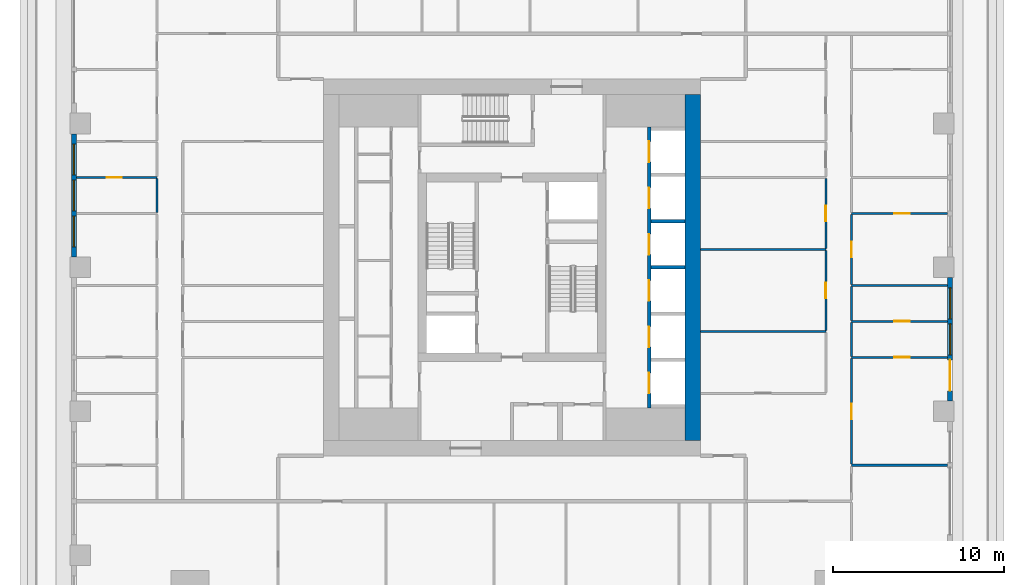
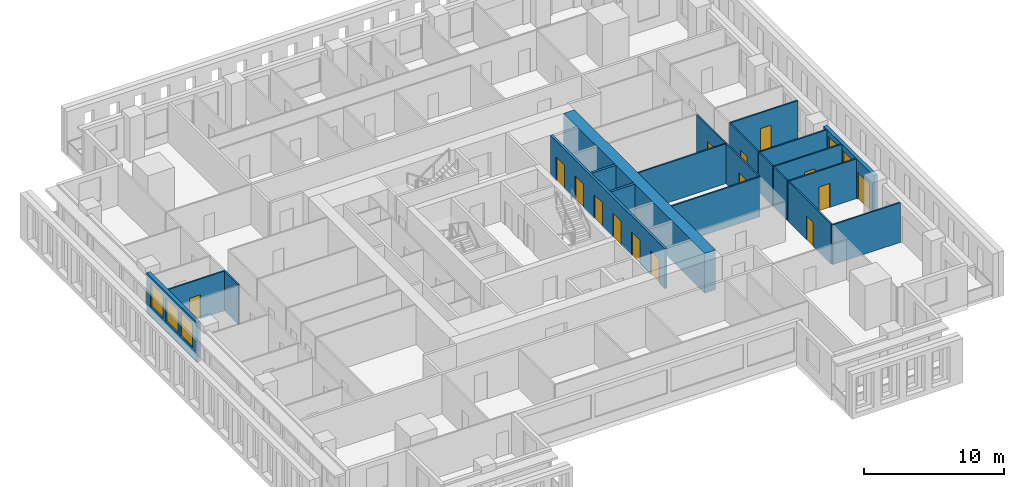
# One storey, part 5 of 14: 21 walls, 15 doors, 5 windows, 20 openings.
"""IFC4 building model written with IfcOpenShell, lengths in metres."""

import ifcopenshell
import ifcopenshell.guid

model = None  # the IFC model being written
_history = None  # IfcOwnerHistory: only IFC2X3 demands one
_inside = {}  # id of a spatial element -> (the spatial element, [elements in it])
_under = {}  # id of a project, library or spatial element -> (it, [spatial elements below it])
_declared = {}  # id of a project -> (the project, [libraries it declares])
_typed = {}  # id of a type object -> (the type object, [elements of that type])
_made_of = {}  # id of a material, layer set ... -> (it, [elements and type objects made of it])


def new_model(schema):
    """Start an empty IFC model of exactly this schema.

    Asked for "IFC4X3", IfcOpenShell would pick the latest addendum, in which some entities
    have other attributes; the version numbers below select the first issue.
    IFC2X3 requires an IfcOwnerHistory on every rooted entity: one is made here for all.
    """
    global model, _history
    if schema == "IFC4X3":
        model = ifcopenshell.file(schema_version=(4, 3, 0, 0))
    else:
        model = ifcopenshell.file(schema=schema)
    _inside.clear()
    _under.clear()
    _declared.clear()
    _typed.clear()
    _made_of.clear()
    _history = None
    if model.schema == "IFC2X3":
        org = make("IfcOrganization", Name="unknown")
        user = make(
            "IfcPersonAndOrganization",
            ThePerson=make("IfcPerson", FamilyName="unknown"),
            TheOrganization=org,
        )
        app = make(
            "IfcApplication",
            ApplicationDeveloper=org,
            Version="unknown",
            ApplicationFullName="unknown",
            ApplicationIdentifier="unknown",
        )
        _history = make(
            "IfcOwnerHistory",
            OwningUser=user,
            OwningApplication=app,
            ChangeAction="ADDED",
            CreationDate=0,
        )
    return model


def make(cls, **values):
    """One entity of the class cls with the attributes given. An attribute that is None is left unset."""
    return model.create_entity(
        cls, **{name: value for name, value in values.items() if value is not None}
    )


def rooted(cls, **values):
    """An entity with a GlobalId (a new one), such as an element, a storey or a relation."""
    return make(cls, GlobalId=ifcopenshell.guid.new(), OwnerHistory=_history, **values)


def si_unit(unit_type, name, prefix=None):
    """IfcSIUnit, for example si_unit("LENGTHUNIT", "METRE", prefix="MILLI")."""
    return make("IfcSIUnit", UnitType=unit_type, Prefix=prefix, Name=name)


def assignment(units):
    """IfcUnitAssignment: the units of a project."""
    return None if units is None else make("IfcUnitAssignment", Units=units)


def point(xyz):
    """IfcCartesianPoint."""
    return None if xyz is None else make("IfcCartesianPoint", Coordinates=xyz)


def direction(xyz):
    """IfcDirection."""
    return None if xyz is None else make("IfcDirection", DirectionRatios=xyz)


def frame(location, z_axis=None, x_axis=None):
    """IfcAxis2Placement3D, a coordinate frame: its origin and axes. An axis left out is left unset."""
    return make(
        "IfcAxis2Placement3D",
        Location=point(location),
        Axis=direction(z_axis),
        RefDirection=direction(x_axis),
    )


def frame_2d(location, x_axis=None):
    """IfcAxis2Placement2D, a coordinate frame in the plane: its origin and x axis."""
    return make(
        "IfcAxis2Placement2D", Location=point(location), RefDirection=direction(x_axis)
    )


def origin():
    """The frame at (0, 0, 0) with its axes left unset."""
    return frame((0.0, 0.0, 0.0))


def place(relative_to, where):
    """IfcLocalPlacement: puts the frame where relative to a parent placement (None: the world)."""
    return make(
        "IfcLocalPlacement", PlacementRelTo=relative_to, RelativePlacement=where
    )


def context(
    kind, dimensions, precision=None, world=None, true_north=None, identifier=None
):
    """IfcGeometricRepresentationContext, for example the 3D "Model" context."""
    return make(
        "IfcGeometricRepresentationContext",
        ContextIdentifier=identifier,
        ContextType=kind,
        CoordinateSpaceDimension=dimensions,
        Precision=precision,
        WorldCoordinateSystem=world,
        TrueNorth=true_north,
    )


def subcontext(parent, identifier, kind, view, scale=None):
    """IfcGeometricRepresentationSubContext, for example "Body" below "Model"."""
    return make(
        "IfcGeometricRepresentationSubContext",
        ContextIdentifier=identifier,
        ContextType=kind,
        ParentContext=parent,
        TargetScale=scale,
        TargetView=view,
    )


def project(units=None, contexts=None):
    """IfcProject with its units and contexts."""
    return rooted(
        "IfcProject",
        Name="project",
        RepresentationContexts=contexts,
        UnitsInContext=assignment(units),
    )


def spatial(cls, under=None, at=None, **own):
    """A site, building, storey or space (cls), placed at a placement, below another one or the project."""
    s = rooted(cls, ObjectPlacement=at, **own)
    if under is not None:
        _under.setdefault(under.id(), (under, []))[1].append(s)
    return s


def profile(cls, at=None, kind="AREA", **sizes):
    """A parametric profile (cls). Its sizes go by their IFC names, for example OverallWidth=200.0."""
    return make(cls, ProfileType=kind, Position=at, **sizes)


def rectangle(**sizes):
    """IfcRectangleProfileDef."""
    return profile("IfcRectangleProfileDef", **sizes)


def extrude(swept, where, along, depth):
    """IfcExtrudedAreaSolid: the profile swept, set in the frame where, extruded along a direction by depth."""
    return make(
        "IfcExtrudedAreaSolid",
        SweptArea=swept,
        Position=where,
        ExtrudedDirection=direction(along),
        Depth=depth,
    )


def shape(context_of_items, identifier, shape_type, items):
    """IfcShapeRepresentation: the items that make up one representation, for example the "Body"."""
    return make(
        "IfcShapeRepresentation",
        ContextOfItems=context_of_items,
        RepresentationIdentifier=identifier,
        RepresentationType=shape_type,
        Items=items,
    )


def material(Name=None, Category=None):
    """IfcMaterial."""
    return make("IfcMaterial", Name=Name, Category=Category)


def layer(
    of_material, thickness, ventilated=None, Name=None, Category=None, Priority=None
):
    """IfcMaterialLayer: one layer of a wall or slab, of a material (None: an air gap)."""
    return make(
        "IfcMaterialLayer",
        Material=of_material,
        LayerThickness=thickness,
        IsVentilated=ventilated,
        Name=Name,
        Category=Category,
        Priority=Priority,
    )


def layer_set(layers, Name=None):
    """IfcMaterialLayerSet."""
    return make("IfcMaterialLayerSet", MaterialLayers=layers, LayerSetName=Name)


def made_of(thing, what):
    """Note that an element or type object is made of a material, layer set ...; save() writes the relation."""
    if what is not None:
        _made_of.setdefault(what.id(), (what, []))[1].append(thing)
    return thing


def type_object(cls, material=None, **own):
    """A type object (cls), such as IfcWallType, which elements share."""
    return made_of(rooted(cls, **own), material)


def element(
    cls,
    number,
    at=None,
    inside=None,
    cuts=None,
    type_object=None,
    material=None,
    context=None,
    identifier="Body",
    shape_type=None,
    held_by="IfcProductDefinitionShape",
    body=None,
    shapes=None,
    **own,
):
    """One element of the class cls, such as IfcWall. Its Tag is "e" and its number.

    at: its placement. inside: the storey or other place that contains it. cuts: it is an
    opening in that element (IfcRelVoidsElement). A single representation is given by context,
    identifier, shape_type and body (its items); several are given by shapes. held_by: the class
    of the entity that holds the representations. save() writes the other relations.
    """
    e = rooted(cls, Tag="e%d" % number, ObjectPlacement=at, **own)
    if body is not None:
        shapes = [shape(context, identifier, shape_type, body)]
    if shapes is not None:
        e.Representation = make(held_by, Representations=shapes)
    if inside is not None:
        _inside.setdefault(inside.id(), (inside, []))[1].append(e)
    if cuts is not None:
        rooted(
            "IfcRelVoidsElement", RelatingBuildingElement=cuts, RelatedOpeningElement=e
        )
    if type_object is not None:
        _typed.setdefault(type_object.id(), (type_object, []))[1].append(e)
    return made_of(e, material)


def fill(opening, filler):
    """IfcRelFillsElement: the door or window that sits in an opening."""
    return rooted(
        "IfcRelFillsElement",
        RelatingOpeningElement=opening,
        RelatedBuildingElement=filler,
    )


def aggregate(whole, parts):
    """IfcRelAggregates: a whole, such as a stair, and the parts it consists of."""
    return rooted("IfcRelAggregates", RelatingObject=whole, RelatedObjects=parts)


def save(model, path):
    """Write the relations noted so far, then the file.

    IfcRelAggregates (storeys below a building ...), IfcRelContainedInSpatialStructure (elements
    in a storey), IfcRelDefinesByType, IfcRelAssociatesMaterial and IfcRelDeclares: one each for
    every whole, place, type object, material and project.
    """
    for whole, parts in _under.values():
        aggregate(whole, parts)
    for where, things in _inside.values():
        rooted(
            "IfcRelContainedInSpatialStructure",
            RelatedElements=things,
            RelatingStructure=where,
        )
    for kind, things in _typed.values():
        rooted("IfcRelDefinesByType", RelatedObjects=things, RelatingType=kind)
    for what, things in _made_of.values():
        rooted("IfcRelAssociatesMaterial", RelatedObjects=things, RelatingMaterial=what)
    for by, libraries in _declared.values():
        rooted("IfcRelDeclares", RelatingContext=by, RelatedDefinitions=libraries)
    model.write(path)


model = new_model("IFC4")

# Units and contexts
model_context = context("Model", 3, precision=1e-05, world=origin(), true_north=direction((0.0, 1.0)))
body_context = subcontext(model_context, "Body", "Model", "MODEL_VIEW")
ifc_project = project(units=[si_unit("LENGTHUNIT", "METRE"), si_unit("AREAUNIT", "SQUARE_METRE"), si_unit("VOLUMEUNIT", "CUBIC_METRE"), si_unit("PLANEANGLEUNIT", "RADIAN"), si_unit("MASSUNIT", "GRAM", prefix="KILO")], contexts=[model_context])

# Site, building, storey
site_placement = place(None, origin())
site = spatial("IfcSite", under=ifc_project, at=site_placement, CompositionType="ELEMENT")
building_placement = place(site_placement, origin())
building = spatial("IfcBuilding", under=site, at=building_placement, Name="Khepri Terraces", CompositionType="ELEMENT")
storey_placement = place(building_placement, frame((0.0, 0.0, 275.699951171875)))
storey = spatial("IfcBuildingStorey", under=building, at=storey_placement, Name="L66", CompositionType="ELEMENT", Elevation=275.699951171875)

# Wall, openings, doors
ifc_material_1 = material(Name="Concrete C40/50", Category="concrete")
ifc_layer_1 = layer(ifc_material_1, 0.199951171875, Name="Concrete C40/50", Category="concrete")
ifc_layer_set_1 = layer_set([ifc_layer_1], Name="Concrete C40/50")
wall_type_1 = type_object("IfcWallType", Name="Core wall 200 C40/50", PredefinedType="SHEAR", material=ifc_layer_set_1)
wall_1_placement = place(storey_placement, frame((8.0, -8.199951171875, 0.0), z_axis=(0.0, 0.0, 1.0), x_axis=(0.0, 1.0, 0.0)))
wall_1 = element("IfcWall", 1, at=wall_1_placement, inside=storey, type_object=wall_type_1, Name="Core wall SH02 L66", PredefinedType="SHEAR", context=body_context, shape_type="SweptSolid", body=[
    extrude(rectangle(XDim=16.39990234375, YDim=0.199951171875, at=frame_2d((8.199951171875, 0.0))), origin(), (0.0, 0.0, 1.0), 3.47998046875),
])
opening_1_placement = place(wall_1_placement, frame((0.85009765625, 0.0, 0.0)))
opening_1 = element("IfcOpeningElement", 2, at=opening_1_placement, cuts=wall_1, Name="Opening L66-C01", PredefinedType="OPENING", context=body_context, shape_type="SweptSolid", body=[
    extrude(rectangle(XDim=1.199951171875, YDim=2.10009765625, at=frame_2d((0.60009765625, 1.050048828125))), frame((0.0, 0.10986328125, 0.0), z_axis=(0.0, -1.0, 0.0), x_axis=(1.0, 0.0, 0.0)), (0.0, 0.0, 1.0), 0.219970703125),
])
opening_2_placement = place(wall_1_placement, frame((3.550048828125, 0.0, 0.0)))
opening_2 = element("IfcOpeningElement", 3, at=opening_2_placement, cuts=wall_1, Name="Opening L66-C02", PredefinedType="OPENING", context=body_context, shape_type="SweptSolid", body=[
    extrude(rectangle(XDim=1.199951171875, YDim=2.10009765625, at=frame_2d((0.60009765625, 1.050048828125))), frame((0.0, 0.10986328125, 0.0), z_axis=(0.0, -1.0, 0.0), x_axis=(1.0, 0.0, 0.0)), (0.0, 0.0, 1.0), 0.219970703125),
])
opening_3_placement = place(wall_1_placement, frame((6.25, 0.0, 0.0)))
opening_3 = element("IfcOpeningElement", 4, at=opening_3_placement, cuts=wall_1, Name="Opening L66-C03", PredefinedType="OPENING", context=body_context, shape_type="SweptSolid", body=[
    extrude(rectangle(XDim=1.199951171875, YDim=2.10009765625, at=frame_2d((0.60009765625, 1.050048828125))), frame((0.0, 0.10986328125, 0.0), z_axis=(0.0, -1.0, 0.0), x_axis=(1.0, 0.0, 0.0)), (0.0, 0.0, 1.0), 0.219970703125),
])
opening_4_placement = place(wall_1_placement, frame((8.949951171875, 0.0, 0.0)))
opening_4 = element("IfcOpeningElement", 5, at=opening_4_placement, cuts=wall_1, Name="Opening L66-C04", PredefinedType="OPENING", context=body_context, shape_type="SweptSolid", body=[
    extrude(rectangle(XDim=1.199951171875, YDim=2.10009765625, at=frame_2d((0.60009765625, 1.050048828125))), frame((0.0, 0.10986328125, 0.0), z_axis=(0.0, -1.0, 0.0), x_axis=(1.0, 0.0, 0.0)), (0.0, 0.0, 1.0), 0.219970703125),
])
opening_5_placement = place(wall_1_placement, frame((11.64990234375, 0.0, 0.0)))
opening_5 = element("IfcOpeningElement", 6, at=opening_5_placement, cuts=wall_1, Name="Opening L66-C05", PredefinedType="OPENING", context=body_context, shape_type="SweptSolid", body=[
    extrude(rectangle(XDim=1.199951171875, YDim=2.10009765625, at=frame_2d((0.60009765625, 1.050048828125))), frame((0.0, 0.10986328125, 0.0), z_axis=(0.0, -1.0, 0.0), x_axis=(1.0, 0.0, 0.0)), (0.0, 0.0, 1.0), 0.219970703125),
])
opening_6_placement = place(wall_1_placement, frame((14.35009765625, 0.0, 0.0)))
opening_6 = element("IfcOpeningElement", 7, at=opening_6_placement, cuts=wall_1, Name="Opening L66-C06", PredefinedType="OPENING", context=body_context, shape_type="SweptSolid", body=[
    extrude(rectangle(XDim=1.199951171875, YDim=2.10009765625, at=frame_2d((0.60009765625, 1.050048828125))), frame((0.0, 0.10986328125, 0.0), z_axis=(0.0, -1.0, 0.0), x_axis=(1.0, 0.0, 0.0)), (0.0, 0.0, 1.0), 0.219970703125),
])
ifc_material_2 = material(Name="Stainless steel 304", Category="steel")
door_type_1 = type_object("IfcDoorType", Name="DR-CORE-LANDING-1200", OperationType="NOTDEFINED", PredefinedType="DOOR", material=ifc_material_2)
door_1_placement = place(opening_1_placement, origin())
door_1 = element("IfcDoor", 8, at=door_1_placement, inside=storey, type_object=door_type_1, Name="Lift landing door L66-C01", OperationType="SLIDING_TO_LEFT", OverallHeight=2.10009765625, OverallWidth=1.199951171875, PredefinedType="DOOR", context=body_context, shape_type="SweptSolid", body=[
    extrude(rectangle(XDim=1.199951171875, YDim=2.10009765625, at=frame_2d((0.60009765625, 1.050048828125))), frame((0.0, 0.02490234375, 0.0), z_axis=(0.0, -1.0, 0.0), x_axis=(1.0, 0.0, 0.0)), (0.0, 0.0, 1.0), 0.050048828125),
])
fill(opening_1, door_1)
door_2_placement = place(opening_2_placement, origin())
door_2 = element("IfcDoor", 9, at=door_2_placement, inside=storey, type_object=door_type_1, Name="Lift landing door L66-C02", OperationType="SLIDING_TO_LEFT", OverallHeight=2.10009765625, OverallWidth=1.199951171875, PredefinedType="DOOR", context=body_context, shape_type="SweptSolid", body=[
    extrude(rectangle(XDim=1.199951171875, YDim=2.10009765625, at=frame_2d((0.60009765625, 1.050048828125))), frame((0.0, 0.02490234375, 0.0), z_axis=(0.0, -1.0, 0.0), x_axis=(1.0, 0.0, 0.0)), (0.0, 0.0, 1.0), 0.050048828125),
])
fill(opening_2, door_2)
door_3_placement = place(opening_3_placement, origin())
door_3 = element("IfcDoor", 10, at=door_3_placement, inside=storey, type_object=door_type_1, Name="Lift landing door L66-C03", OperationType="SLIDING_TO_LEFT", OverallHeight=2.10009765625, OverallWidth=1.199951171875, PredefinedType="DOOR", context=body_context, shape_type="SweptSolid", body=[
    extrude(rectangle(XDim=1.199951171875, YDim=2.10009765625, at=frame_2d((0.60009765625, 1.050048828125))), frame((0.0, 0.02490234375, 0.0), z_axis=(0.0, -1.0, 0.0), x_axis=(1.0, 0.0, 0.0)), (0.0, 0.0, 1.0), 0.050048828125),
])
fill(opening_3, door_3)
door_4_placement = place(opening_4_placement, origin())
door_4 = element("IfcDoor", 11, at=door_4_placement, inside=storey, type_object=door_type_1, Name="Lift landing door L66-C04", OperationType="SLIDING_TO_LEFT", OverallHeight=2.10009765625, OverallWidth=1.199951171875, PredefinedType="DOOR", context=body_context, shape_type="SweptSolid", body=[
    extrude(rectangle(XDim=1.199951171875, YDim=2.10009765625, at=frame_2d((0.60009765625, 1.050048828125))), frame((0.0, 0.02490234375, 0.0), z_axis=(0.0, -1.0, 0.0), x_axis=(1.0, 0.0, 0.0)), (0.0, 0.0, 1.0), 0.050048828125),
])
fill(opening_4, door_4)
door_5_placement = place(opening_5_placement, origin())
door_5 = element("IfcDoor", 12, at=door_5_placement, inside=storey, type_object=door_type_1, Name="Lift landing door L66-C05", OperationType="SLIDING_TO_LEFT", OverallHeight=2.10009765625, OverallWidth=1.199951171875, PredefinedType="DOOR", context=body_context, shape_type="SweptSolid", body=[
    extrude(rectangle(XDim=1.199951171875, YDim=2.10009765625, at=frame_2d((0.60009765625, 1.050048828125))), frame((0.0, 0.02490234375, 0.0), z_axis=(0.0, -1.0, 0.0), x_axis=(1.0, 0.0, 0.0)), (0.0, 0.0, 1.0), 0.050048828125),
])
fill(opening_5, door_5)
door_6_placement = place(opening_6_placement, origin())
door_6 = element("IfcDoor", 13, at=door_6_placement, inside=storey, type_object=door_type_1, Name="Lift landing door L66-C06", OperationType="SLIDING_TO_LEFT", OverallHeight=2.10009765625, OverallWidth=1.199951171875, PredefinedType="DOOR", context=body_context, shape_type="SweptSolid", body=[
    extrude(rectangle(XDim=1.199951171875, YDim=2.10009765625, at=frame_2d((0.60009765625, 1.050048828125))), frame((0.0, 0.02490234375, 0.0), z_axis=(0.0, -1.0, 0.0), x_axis=(1.0, 0.0, 0.0)), (0.0, 0.0, 1.0), 0.050048828125),
])
fill(opening_6, door_6)

# Walls
for number, where, z_axis, x_axis, name in (
    (14, (8.10009765625, 0.0, 0.0), (0.0, 0.0, 1.0), (1.0, 0.0, 0.0), "Core wall SH09 L66"),
    (15, (8.10009765625, 2.699951171875, 0.0), (0.0, 0.0, 1.0), (1.0, 0.0, 0.0), "Core wall SH13 L66"),
):
    element("IfcWall", number, at=place(storey_placement, frame(where, z_axis=z_axis, x_axis=x_axis)), inside=storey, type_object=wall_type_1, Name=name, PredefinedType="SHEAR", context=body_context, shape_type="SweptSolid", body=[
        extrude(rectangle(XDim=2.0, YDim=0.199951171875, at=frame_2d((1.0, 0.0))), origin(), (0.0, 0.0, 1.0), 3.47998046875),
    ])
ifc_layer_2 = layer(ifc_material_1, 0.89990234375, Name="Concrete C40/50", Category="concrete")
ifc_layer_set_2 = layer_set([ifc_layer_2], Name="Concrete C40/50")
wall_type_2 = type_object("IfcWallType", Name="Core wall 900 C40/50", PredefinedType="SHEAR", material=ifc_layer_set_2)
wall_2_placement = place(storey_placement, frame((10.550048828125, -10.10009765625, 0.0), z_axis=(0.0, 0.0, 1.0), x_axis=(0.0, 1.0, 0.0)))
element("IfcWall", 16, at=wall_2_placement, inside=storey, type_object=wall_type_2, Name="Core wall OW-E L66", PredefinedType="SHEAR", context=body_context, shape_type="SweptSolid", body=[
    extrude(rectangle(XDim=20.2001953125, YDim=0.89990234375, at=frame_2d((10.10009765625, 0.0))), origin(), (0.0, 0.0, 1.0), 3.47998046875),
])

# Wall, openings, door, windows
ifc_material_3 = material(Name="Precast concrete C50/60 warm stone", Category="masonry")
ifc_layer_3 = layer(ifc_material_3, 0.300048828125, Name="Precast concrete C50/60 warm stone", Category="masonry")
ifc_layer_set_3 = layer_set([ifc_layer_3], Name="Precast concrete C50/60 warm stone")
wall_type_3 = type_object("IfcWallType", Name="WL-EXT-PRECAST-300", PredefinedType="STANDARD", material=ifc_layer_set_3)
wall_3_placement = place(storey_placement, frame((25.570068359375, -7.800048828125, 0.0), z_axis=(0.0, 0.0, 1.0), x_axis=(0.0, 1.0, 0.0)))
wall_3 = element("IfcWall", 17, at=wall_3_placement, inside=storey, type_object=wall_type_3, Name="External wall L66 E", PredefinedType="STANDARD", context=body_context, shape_type="SweptSolid", body=[
    extrude(rectangle(XDim=7.199951171875, YDim=0.300048828125, at=frame_2d((3.60009765625, 0.0))), origin(), (0.0, 0.0, 1.0), 3.47998046875),
])
opening_7_placement = place(wall_3_placement, frame((0.60009765625, 0.0, 0.0)))
opening_7 = element("IfcOpeningElement", 18, at=opening_7_placement, cuts=wall_3, Name="Opening ED-L66-04", PredefinedType="OPENING", context=body_context, shape_type="SweptSolid", body=[
    extrude(rectangle(XDim=1.800048828125, YDim=2.39990234375, at=frame_2d((0.89990234375, 1.199951171875))), frame((0.0, 0.16015625, 0.0), z_axis=(0.0, -1.0, 0.0), x_axis=(1.0, 0.0, 0.0)), (0.0, 0.0, 1.0), 0.320068359375),
])
opening_8_placement = place(wall_3_placement, frame((2.699951171875, 0.0, 0.89990234375)))
opening_8 = element("IfcOpeningElement", 19, at=opening_8_placement, cuts=wall_3, Name="Opening W1", PredefinedType="OPENING", context=body_context, shape_type="SweptSolid", body=[
    extrude(rectangle(XDim=1.800048828125, YDim=2.10009765625, at=frame_2d((0.89990234375, 1.050048828125))), frame((0.0, 0.16015625, 0.0), z_axis=(0.0, -1.0, 0.0), x_axis=(1.0, 0.0, 0.0)), (0.0, 0.0, 1.0), 0.320068359375),
])
opening_9_placement = place(wall_3_placement, frame((4.800048828125, 0.0, 0.89990234375)))
opening_9 = element("IfcOpeningElement", 20, at=opening_9_placement, cuts=wall_3, Name="Opening W1", PredefinedType="OPENING", context=body_context, shape_type="SweptSolid", body=[
    extrude(rectangle(XDim=1.800048828125, YDim=2.10009765625, at=frame_2d((0.89990234375, 1.050048828125))), frame((0.0, 0.16015625, 0.0), z_axis=(0.0, -1.0, 0.0), x_axis=(1.0, 0.0, 0.0)), (0.0, 0.0, 1.0), 0.320068359375),
])
ifc_material_4 = material(Name="Anodised aluminium bronze glazed door", Category="aluminium")
door_type_2 = type_object("IfcDoorType", Name="DR-BAL-SLIDE-1800x2400", OperationType="NOTDEFINED", PredefinedType="DOOR", material=ifc_material_4)
door_7_placement = place(opening_7_placement, origin())
door_7 = element("IfcDoor", 21, at=door_7_placement, inside=storey, type_object=door_type_2, Name="Balcony door L66 E", OperationType="SLIDING_TO_LEFT", OverallHeight=2.39990234375, OverallWidth=1.800048828125, PredefinedType="DOOR", context=body_context, shape_type="SweptSolid", body=[
    extrude(rectangle(XDim=1.800048828125, YDim=2.39990234375, at=frame_2d((0.89990234375, 1.199951171875))), frame((0.0, 0.02490234375, 0.0), z_axis=(0.0, -1.0, 0.0), x_axis=(1.0, 0.0, 0.0)), (0.0, 0.0, 1.0), 0.050048828125),
])
fill(opening_7, door_7)
ifc_material_5 = material(Name="Clear glass", Category="glass")
window_type = type_object("IfcWindowType", Name="WIN-RES-1800x2100", PartitioningType="SINGLE_PANEL", PredefinedType="WINDOW", material=ifc_material_5)
window_1_placement = place(opening_8_placement, origin())
window_1 = element("IfcWindow", 22, at=window_1_placement, inside=storey, type_object=window_type, Name="Window L66 E", OverallHeight=2.10009765625, OverallWidth=1.800048828125, PartitioningType="SINGLE_PANEL", PredefinedType="WINDOW", context=body_context, shape_type="SweptSolid", body=[
    extrude(rectangle(XDim=1.800048828125, YDim=2.10009765625, at=frame_2d((0.89990234375, 1.050048828125))), frame((0.0, 0.030029296875, 0.0), z_axis=(0.0, -1.0, 0.0), x_axis=(1.0, 0.0, 0.0)), (0.0, 0.0, 1.0), 0.06005859375),
])
fill(opening_8, window_1)
window_2_placement = place(opening_9_placement, origin())
window_2 = element("IfcWindow", 23, at=window_2_placement, inside=storey, type_object=window_type, Name="Window L66 E", OverallHeight=2.10009765625, OverallWidth=1.800048828125, PartitioningType="SINGLE_PANEL", PredefinedType="WINDOW", context=body_context, shape_type="SweptSolid", body=[
    extrude(rectangle(XDim=1.800048828125, YDim=2.10009765625, at=frame_2d((0.89990234375, 1.050048828125))), frame((0.0, 0.030029296875, 0.0), z_axis=(0.0, -1.0, 0.0), x_axis=(1.0, 0.0, 0.0)), (0.0, 0.0, 1.0), 0.06005859375),
])
fill(opening_9, window_2)

# Wall, openings, windows
wall_4_placement = place(storey_placement, frame((-25.570068359375, 7.800048828125, 0.0), z_axis=(0.0, 0.0, 1.0), x_axis=(0.0, -1.0, 0.0)))
wall_4 = element("IfcWall", 24, at=wall_4_placement, inside=storey, type_object=wall_type_3, Name="External wall L66 W", PredefinedType="STANDARD", context=body_context, shape_type="SweptSolid", body=[
    extrude(rectangle(XDim=7.199951171875, YDim=0.300048828125, at=frame_2d((3.60009765625, 0.0))), origin(), (0.0, 0.0, 1.0), 3.47998046875),
])
opening_10_placement = place(wall_4_placement, frame((0.60009765625, 0.0, 0.89990234375)))
opening_10 = element("IfcOpeningElement", 25, at=opening_10_placement, cuts=wall_4, Name="Opening W1", PredefinedType="OPENING", context=body_context, shape_type="SweptSolid", body=[
    extrude(rectangle(XDim=1.800048828125, YDim=2.10009765625, at=frame_2d((0.89990234375, 1.050048828125))), frame((0.0, 0.16015625, 0.0), z_axis=(0.0, -1.0, 0.0), x_axis=(1.0, 0.0, 0.0)), (0.0, 0.0, 1.0), 0.320068359375),
])
opening_11_placement = place(wall_4_placement, frame((2.699951171875, 0.0, 0.89990234375)))
opening_11 = element("IfcOpeningElement", 26, at=opening_11_placement, cuts=wall_4, Name="Opening W1", PredefinedType="OPENING", context=body_context, shape_type="SweptSolid", body=[
    extrude(rectangle(XDim=1.800048828125, YDim=2.10009765625, at=frame_2d((0.89990234375, 1.050048828125))), frame((0.0, 0.16015625, 0.0), z_axis=(0.0, -1.0, 0.0), x_axis=(1.0, 0.0, 0.0)), (0.0, 0.0, 1.0), 0.320068359375),
])
opening_12_placement = place(wall_4_placement, frame((4.800048828125, 0.0, 0.89990234375)))
opening_12 = element("IfcOpeningElement", 27, at=opening_12_placement, cuts=wall_4, Name="Opening W1", PredefinedType="OPENING", context=body_context, shape_type="SweptSolid", body=[
    extrude(rectangle(XDim=1.800048828125, YDim=2.10009765625, at=frame_2d((0.89990234375, 1.050048828125))), frame((0.0, 0.16015625, 0.0), z_axis=(0.0, -1.0, 0.0), x_axis=(1.0, 0.0, 0.0)), (0.0, 0.0, 1.0), 0.320068359375),
])
window_3_placement = place(opening_10_placement, origin())
window_3 = element("IfcWindow", 28, at=window_3_placement, inside=storey, type_object=window_type, Name="Window L66 W", OverallHeight=2.10009765625, OverallWidth=1.800048828125, PartitioningType="SINGLE_PANEL", PredefinedType="WINDOW", context=body_context, shape_type="SweptSolid", body=[
    extrude(rectangle(XDim=1.800048828125, YDim=2.10009765625, at=frame_2d((0.89990234375, 1.050048828125))), frame((0.0, 0.030029296875, 0.0), z_axis=(0.0, -1.0, 0.0), x_axis=(1.0, 0.0, 0.0)), (0.0, 0.0, 1.0), 0.06005859375),
])
fill(opening_10, window_3)
window_4_placement = place(opening_11_placement, origin())
window_4 = element("IfcWindow", 29, at=window_4_placement, inside=storey, type_object=window_type, Name="Window L66 W", OverallHeight=2.10009765625, OverallWidth=1.800048828125, PartitioningType="SINGLE_PANEL", PredefinedType="WINDOW", context=body_context, shape_type="SweptSolid", body=[
    extrude(rectangle(XDim=1.800048828125, YDim=2.10009765625, at=frame_2d((0.89990234375, 1.050048828125))), frame((0.0, 0.030029296875, 0.0), z_axis=(0.0, -1.0, 0.0), x_axis=(1.0, 0.0, 0.0)), (0.0, 0.0, 1.0), 0.06005859375),
])
fill(opening_11, window_4)
window_5_placement = place(opening_12_placement, origin())
window_5 = element("IfcWindow", 30, at=window_5_placement, inside=storey, type_object=window_type, Name="Window L66 W", OverallHeight=2.10009765625, OverallWidth=1.800048828125, PartitioningType="SINGLE_PANEL", PredefinedType="WINDOW", context=body_context, shape_type="SweptSolid", body=[
    extrude(rectangle(XDim=1.800048828125, YDim=2.10009765625, at=frame_2d((0.89990234375, 1.050048828125))), frame((0.0, 0.030029296875, 0.0), z_axis=(0.0, -1.0, 0.0), x_axis=(1.0, 0.0, 0.0)), (0.0, 0.0, 1.0), 0.06005859375),
])
fill(opening_12, window_5)

# Wall
ifc_material_6 = material(Name="Gypsum plasterboard partition")
ifc_layer_4 = layer(ifc_material_6, 0.1201171875, Name="Gypsum plasterboard partition")
ifc_layer_set_4 = layer_set([ifc_layer_4], Name="Gypsum plasterboard partition")
wall_type_4 = type_object("IfcWallType", Name="WL-PART-120", PredefinedType="PARTITIONING", material=ifc_layer_set_4)
wall_5_placement = place(storey_placement, frame((19.820068359375, -11.550048828125, 0.0), z_axis=(0.0, 0.0, 1.0), x_axis=(1.0, 0.0, 0.0)))
element("IfcWall", 31, at=wall_5_placement, inside=storey, type_object=wall_type_4, Name="Partition P-023 L66", PredefinedType="PARTITIONING", context=body_context, shape_type="SweptSolid", body=[
    extrude(rectangle(XDim=5.599853515625, YDim=0.1201171875, at=frame_2d((2.7998046875, 0.0))), origin(), (0.0, 0.0, 1.0), 3.47998046875),
])

# Wall, opening, door
wall_6_placement = place(storey_placement, frame((19.820068359375, -11.489990234375, 0.0), z_axis=(0.0, 0.0, 1.0), x_axis=(0.0, 1.0, 0.0)))
wall_6 = element("IfcWall", 32, at=wall_6_placement, inside=storey, type_object=wall_type_4, Name="Partition P-025 L66", PredefinedType="PARTITIONING", context=body_context, shape_type="SweptSolid", body=[
    extrude(rectangle(XDim=6.179931640625, YDim=0.1201171875, at=frame_2d((3.08984375, 0.0))), origin(), (0.0, 0.0, 1.0), 3.47998046875),
])
opening_13_placement = place(wall_6_placement, frame((2.639892578125, 0.0, 0.0)))
opening_13 = element("IfcOpeningElement", 33, at=opening_13_placement, cuts=wall_6, Name="Opening D3", PredefinedType="OPENING", context=body_context, shape_type="SweptSolid", body=[
    extrude(rectangle(XDim=0.89990234375, YDim=2.10009765625, at=frame_2d((0.449951171875, 1.050048828125))), frame((0.0, 0.070068359375, 0.0), z_axis=(0.0, -1.0, 0.0), x_axis=(1.0, 0.0, 0.0)), (0.0, 0.0, 1.0), 0.14013671875),
])
ifc_material_7 = material(Name="Timber door leaf", Category="wood")
door_type_3 = type_object("IfcDoorType", Name="DR-INT-900", OperationType="NOTDEFINED", PredefinedType="DOOR", material=ifc_material_7)
door_8_placement = place(opening_13_placement, frame((0.89990234375, 0.0, 0.0), z_axis=(0.0, 0.0, 1.0), x_axis=(-1.0, 0.0, 0.0)))
door_8 = element("IfcDoor", 34, at=door_8_placement, inside=storey, type_object=door_type_3, Name="Door Master Bedroom", OperationType="SINGLE_SWING_RIGHT", OverallHeight=2.10009765625, OverallWidth=0.89990234375, PredefinedType="DOOR", context=body_context, shape_type="SweptSolid", body=[
    extrude(rectangle(XDim=0.89990234375, YDim=2.10009765625, at=frame_2d((0.449951171875, 1.050048828125))), frame((0.0, 0.02490234375, 0.0), z_axis=(0.0, -1.0, 0.0), x_axis=(1.0, 0.0, 0.0)), (0.0, 0.0, 1.0), 0.050048828125),
])
fill(opening_13, door_8)

wall_7_placement = place(storey_placement, frame((19.820068359375, -5.25, 0.0), z_axis=(0.0, 0.0, 1.0), x_axis=(1.0, 0.0, 0.0)))
wall_7 = element("IfcWall", 35, at=wall_7_placement, inside=storey, type_object=wall_type_4, Name="Partition P-034 L66", PredefinedType="PARTITIONING", context=body_context, shape_type="SweptSolid", body=[
    extrude(rectangle(XDim=5.599853515625, YDim=0.1201171875, at=frame_2d((2.7998046875, 0.0))), origin(), (0.0, 0.0, 1.0), 3.47998046875),
])
opening_14_placement = place(wall_7_placement, frame((2.5, 0.0, 0.0)))
opening_14 = element("IfcOpeningElement", 36, at=opening_14_placement, cuts=wall_7, Name="Opening D3", PredefinedType="OPENING", context=body_context, shape_type="SweptSolid", body=[
    extrude(rectangle(XDim=0.89990234375, YDim=2.10009765625, at=frame_2d((0.449951171875, 1.050048828125))), frame((0.0, 0.070068359375, 0.0), z_axis=(0.0, -1.0, 0.0), x_axis=(1.0, 0.0, 0.0)), (0.0, 0.0, 1.0), 0.14013671875),
])
door_9_placement = place(opening_14_placement, origin())
door_9 = element("IfcDoor", 37, at=door_9_placement, inside=storey, type_object=door_type_3, Name="Door Dressing Room", OperationType="SINGLE_SWING_RIGHT", OverallHeight=2.10009765625, OverallWidth=0.89990234375, PredefinedType="DOOR", context=body_context, shape_type="SweptSolid", body=[
    extrude(rectangle(XDim=0.89990234375, YDim=2.10009765625, at=frame_2d((0.449951171875, 1.050048828125))), frame((0.0, 0.02490234375, 0.0), z_axis=(0.0, -1.0, 0.0), x_axis=(1.0, 0.0, 0.0)), (0.0, 0.0, 1.0), 0.050048828125),
])
fill(opening_14, door_9)

# Walls
wall_8_placement = place(storey_placement, frame((19.820068359375, -5.18994140625, 0.0), z_axis=(0.0, 0.0, 1.0), x_axis=(0.0, 1.0, 0.0)))
element("IfcWall", 38, at=wall_8_placement, inside=storey, type_object=wall_type_4, Name="Partition P-037 L66", PredefinedType="PARTITIONING", context=body_context, shape_type="SweptSolid", body=[
    extrude(rectangle(XDim=1.97998046875, YDim=0.1201171875, at=frame_2d((0.989990234375, 0.0))), origin(), (0.0, 0.0, 1.0), 3.47998046875),
])
wall_9_placement = place(storey_placement, frame((11.0, -3.75, 0.0), z_axis=(0.0, 0.0, 1.0), x_axis=(1.0, 0.0, 0.0)))
element("IfcWall", 39, at=wall_9_placement, inside=storey, type_object=wall_type_4, Name="Partition P-038 L66", PredefinedType="PARTITIONING", context=body_context, shape_type="SweptSolid", body=[
    extrude(rectangle(XDim=7.320068359375, YDim=0.1201171875, at=frame_2d((3.66015625, 0.0))), origin(), (0.0, 0.0, 1.0), 3.47998046875),
])

# Wall, opening, door
wall_10_placement = place(storey_placement, frame((18.320068359375, -3.68994140625, 0.0), z_axis=(0.0, 0.0, 1.0), x_axis=(0.0, 1.0, 0.0)))
wall_10 = element("IfcWall", 40, at=wall_10_placement, inside=storey, type_object=wall_type_4, Name="Partition P-039 L66", PredefinedType="PARTITIONING", context=body_context, shape_type="SweptSolid", body=[
    extrude(rectangle(XDim=4.679931640625, YDim=0.1201171875, at=frame_2d((2.33984375, 0.0))), origin(), (0.0, 0.0, 1.0), 3.47998046875),
])
opening_15_placement = place(wall_10_placement, frame((1.889892578125, 0.0, 0.0)))
opening_15 = element("IfcOpeningElement", 41, at=opening_15_placement, cuts=wall_10, Name="Opening D3", PredefinedType="OPENING", context=body_context, shape_type="SweptSolid", body=[
    extrude(rectangle(XDim=0.89990234375, YDim=2.10009765625, at=frame_2d((0.449951171875, 1.050048828125))), frame((0.0, 0.070068359375, 0.0), z_axis=(0.0, -1.0, 0.0), x_axis=(1.0, 0.0, 0.0)), (0.0, 0.0, 1.0), 0.14013671875),
])
door_10_placement = place(opening_15_placement, origin())
door_10 = element("IfcDoor", 42, at=door_10_placement, inside=storey, type_object=door_type_3, Name="Door Service Store", OperationType="SINGLE_SWING_RIGHT", OverallHeight=2.10009765625, OverallWidth=0.89990234375, PredefinedType="DOOR", context=body_context, shape_type="SweptSolid", body=[
    extrude(rectangle(XDim=0.89990234375, YDim=2.10009765625, at=frame_2d((0.449951171875, 1.050048828125))), frame((0.0, 0.02490234375, 0.0), z_axis=(0.0, -1.0, 0.0), x_axis=(1.0, 0.0, 0.0)), (0.0, 0.0, 1.0), 0.050048828125),
])
fill(opening_15, door_10)

wall_11_placement = place(storey_placement, frame((19.820068359375, -3.14990234375, 0.0), z_axis=(0.0, 0.0, 1.0), x_axis=(1.0, 0.0, 0.0)))
wall_11 = element("IfcWall", 43, at=wall_11_placement, inside=storey, type_object=wall_type_4, Name="Partition P-041 L66", PredefinedType="PARTITIONING", context=body_context, shape_type="SweptSolid", body=[
    extrude(rectangle(XDim=5.599853515625, YDim=0.1201171875, at=frame_2d((2.7998046875, 0.0))), origin(), (0.0, 0.0, 1.0), 3.47998046875),
])
opening_16_placement = place(wall_11_placement, frame((2.5, 0.0, 0.0)))
opening_16 = element("IfcOpeningElement", 44, at=opening_16_placement, cuts=wall_11, Name="Opening D4", PredefinedType="OPENING", context=body_context, shape_type="SweptSolid", body=[
    extrude(rectangle(XDim=0.89990234375, YDim=2.10009765625, at=frame_2d((0.449951171875, 1.050048828125))), frame((0.0, 0.070068359375, 0.0), z_axis=(0.0, -1.0, 0.0), x_axis=(1.0, 0.0, 0.0)), (0.0, 0.0, 1.0), 0.14013671875),
])
ifc_material_8 = material(Name="Timber door leaf, moisture resistant", Category="wood")
door_type_4 = type_object("IfcDoorType", Name="DR-WET-900", OperationType="NOTDEFINED", PredefinedType="DOOR", material=ifc_material_8)
door_11_placement = place(opening_16_placement, origin())
door_11 = element("IfcDoor", 45, at=door_11_placement, inside=storey, type_object=door_type_4, Name="Door Bathroom", OperationType="SINGLE_SWING_RIGHT", OverallHeight=2.10009765625, OverallWidth=0.89990234375, PredefinedType="DOOR", context=body_context, shape_type="SweptSolid", body=[
    extrude(rectangle(XDim=0.89990234375, YDim=2.10009765625, at=frame_2d((0.449951171875, 1.050048828125))), frame((0.0, 0.02490234375, 0.0), z_axis=(0.0, -1.0, 0.0), x_axis=(1.0, 0.0, 0.0)), (0.0, 0.0, 1.0), 0.050048828125),
])
fill(opening_16, door_11)

# Walls
wall_12_placement = place(storey_placement, frame((19.820068359375, -3.090087890625, 0.0), z_axis=(0.0, 0.0, 1.0), x_axis=(0.0, 1.0, 0.0)))
element("IfcWall", 46, at=wall_12_placement, inside=storey, type_object=wall_type_4, Name="Partition P-043 L66", PredefinedType="PARTITIONING", context=body_context, shape_type="SweptSolid", body=[
    extrude(rectangle(XDim=1.97998046875, YDim=0.1201171875, at=frame_2d((0.989990234375, 0.0))), origin(), (0.0, 0.0, 1.0), 3.47998046875),
])
wall_13_placement = place(storey_placement, frame((19.820068359375, -1.050048828125, 0.0), z_axis=(0.0, 0.0, 1.0), x_axis=(1.0, 0.0, 0.0)))
element("IfcWall", 47, at=wall_13_placement, inside=storey, type_object=wall_type_4, Name="Partition P-046 L66", PredefinedType="PARTITIONING", context=body_context, shape_type="SweptSolid", body=[
    extrude(rectangle(XDim=5.599853515625, YDim=0.1201171875, at=frame_2d((2.7998046875, 0.0))), origin(), (0.0, 0.0, 1.0), 3.47998046875),
])

# Wall, opening, door
wall_14_placement = place(storey_placement, frame((19.820068359375, -0.989990234375, 0.0), z_axis=(0.0, 0.0, 1.0), x_axis=(0.0, 1.0, 0.0)))
wall_14 = element("IfcWall", 48, at=wall_14_placement, inside=storey, type_object=wall_type_4, Name="Partition P-049 L66", PredefinedType="PARTITIONING", context=body_context, shape_type="SweptSolid", body=[
    extrude(rectangle(XDim=4.080078125, YDim=0.1201171875, at=frame_2d((2.0400390625, 0.0))), origin(), (0.0, 0.0, 1.0), 3.47998046875),
])
opening_17_placement = place(wall_14_placement, frame((1.590087890625, 0.0, 0.0)))
opening_17 = element("IfcOpeningElement", 49, at=opening_17_placement, cuts=wall_14, Name="Opening D3", PredefinedType="OPENING", context=body_context, shape_type="SweptSolid", body=[
    extrude(rectangle(XDim=0.89990234375, YDim=2.10009765625, at=frame_2d((0.449951171875, 1.050048828125))), frame((0.0, 0.070068359375, 0.0), z_axis=(0.0, -1.0, 0.0), x_axis=(1.0, 0.0, 0.0)), (0.0, 0.0, 1.0), 0.14013671875),
])
door_12_placement = place(opening_17_placement, frame((0.89990234375, 0.0, 0.0), z_axis=(0.0, 0.0, 1.0), x_axis=(-1.0, 0.0, 0.0)))
door_12 = element("IfcDoor", 50, at=door_12_placement, inside=storey, type_object=door_type_3, Name="Door Bedroom", OperationType="SINGLE_SWING_LEFT", OverallHeight=2.10009765625, OverallWidth=0.89990234375, PredefinedType="DOOR", context=body_context, shape_type="SweptSolid", body=[
    extrude(rectangle(XDim=0.89990234375, YDim=2.10009765625, at=frame_2d((0.449951171875, 1.050048828125))), frame((0.0, 0.02490234375, 0.0), z_axis=(0.0, -1.0, 0.0), x_axis=(1.0, 0.0, 0.0)), (0.0, 0.0, 1.0), 0.050048828125),
])
fill(opening_17, door_12)

# Wall
wall_15_placement = place(storey_placement, frame((11.0, 1.050048828125, 0.0), z_axis=(0.0, 0.0, 1.0), x_axis=(1.0, 0.0, 0.0)))
element("IfcWall", 51, at=wall_15_placement, inside=storey, type_object=wall_type_4, Name="Partition P-050 L66", PredefinedType="PARTITIONING", context=body_context, shape_type="SweptSolid", body=[
    extrude(rectangle(XDim=7.320068359375, YDim=0.1201171875, at=frame_2d((3.66015625, 0.0))), origin(), (0.0, 0.0, 1.0), 3.47998046875),
])

# Wall, opening, door
wall_16_placement = place(storey_placement, frame((18.320068359375, 1.110107421875, 0.0), z_axis=(0.0, 0.0, 1.0), x_axis=(0.0, 1.0, 0.0)))
wall_16 = element("IfcWall", 52, at=wall_16_placement, inside=storey, type_object=wall_type_4, Name="Partition P-051 L66", PredefinedType="PARTITIONING", context=body_context, shape_type="SweptSolid", body=[
    extrude(rectangle(XDim=4.079833984375, YDim=0.1201171875, at=frame_2d((2.0400390625, 0.0))), origin(), (0.0, 0.0, 1.0), 3.47998046875),
])
opening_18_placement = place(wall_16_placement, frame((1.590087890625, 0.0, 0.0)))
opening_18 = element("IfcOpeningElement", 53, at=opening_18_placement, cuts=wall_16, Name="Opening D3", PredefinedType="OPENING", context=body_context, shape_type="SweptSolid", body=[
    extrude(rectangle(XDim=0.89990234375, YDim=2.10009765625, at=frame_2d((0.449951171875, 1.050048828125))), frame((0.0, 0.070068359375, 0.0), z_axis=(0.0, -1.0, 0.0), x_axis=(1.0, 0.0, 0.0)), (0.0, 0.0, 1.0), 0.14013671875),
])
door_13_placement = place(opening_18_placement, origin())
door_13 = element("IfcDoor", 54, at=door_13_placement, inside=storey, type_object=door_type_3, Name="Door Staff Bedroom", OperationType="SINGLE_SWING_RIGHT", OverallHeight=2.10009765625, OverallWidth=0.89990234375, PredefinedType="DOOR", context=body_context, shape_type="SweptSolid", body=[
    extrude(rectangle(XDim=0.89990234375, YDim=2.10009765625, at=frame_2d((0.449951171875, 1.050048828125))), frame((0.0, 0.02490234375, 0.0), z_axis=(0.0, -1.0, 0.0), x_axis=(1.0, 0.0, 0.0)), (0.0, 0.0, 1.0), 0.050048828125),
])
fill(opening_18, door_13)

wall_17_placement = place(storey_placement, frame((19.820068359375, 3.14990234375, 0.0), z_axis=(0.0, 0.0, 1.0), x_axis=(1.0, 0.0, 0.0)))
wall_17 = element("IfcWall", 55, at=wall_17_placement, inside=storey, type_object=wall_type_4, Name="Partition P-054 L66", PredefinedType="PARTITIONING", context=body_context, shape_type="SweptSolid", body=[
    extrude(rectangle(XDim=5.599853515625, YDim=0.1201171875, at=frame_2d((2.7998046875, 0.0))), origin(), (0.0, 0.0, 1.0), 3.47998046875),
])
opening_19_placement = place(wall_17_placement, frame((2.5, 0.0, 0.0)))
opening_19 = element("IfcOpeningElement", 56, at=opening_19_placement, cuts=wall_17, Name="Opening D4", PredefinedType="OPENING", context=body_context, shape_type="SweptSolid", body=[
    extrude(rectangle(XDim=0.89990234375, YDim=2.10009765625, at=frame_2d((0.449951171875, 1.050048828125))), frame((0.0, 0.070068359375, 0.0), z_axis=(0.0, -1.0, 0.0), x_axis=(1.0, 0.0, 0.0)), (0.0, 0.0, 1.0), 0.14013671875),
])
door_14_placement = place(opening_19_placement, origin())
door_14 = element("IfcDoor", 57, at=door_14_placement, inside=storey, type_object=door_type_4, Name="Door Bathroom", OperationType="SINGLE_SWING_RIGHT", OverallHeight=2.10009765625, OverallWidth=0.89990234375, PredefinedType="DOOR", context=body_context, shape_type="SweptSolid", body=[
    extrude(rectangle(XDim=0.89990234375, YDim=2.10009765625, at=frame_2d((0.449951171875, 1.050048828125))), frame((0.0, 0.02490234375, 0.0), z_axis=(0.0, -1.0, 0.0), x_axis=(1.0, 0.0, 0.0)), (0.0, 0.0, 1.0), 0.050048828125),
])
fill(opening_19, door_14)

# Wall
wall_18_placement = place(storey_placement, frame((-20.719970703125, 3.2099609375, 0.0), z_axis=(0.0, 0.0, 1.0), x_axis=(0.0, 1.0, 0.0)))
element("IfcWall", 58, at=wall_18_placement, inside=storey, type_object=wall_type_4, Name="Partition P-055 L66", PredefinedType="PARTITIONING", context=body_context, shape_type="SweptSolid", body=[
    extrude(rectangle(XDim=1.97998046875, YDim=0.1201171875, at=frame_2d((0.989990234375, 0.0))), origin(), (0.0, 0.0, 1.0), 3.47998046875),
])

# Wall, opening, door
wall_19_placement = place(storey_placement, frame((-25.419921875, 5.25, 0.0), z_axis=(0.0, 0.0, 1.0), x_axis=(1.0, 0.0, 0.0)))
wall_19 = element("IfcWall", 59, at=wall_19_placement, inside=storey, type_object=wall_type_4, Name="Partition P-058 L66", PredefinedType="PARTITIONING", context=body_context, shape_type="SweptSolid", body=[
    extrude(rectangle(XDim=4.699951171875, YDim=0.1201171875, at=frame_2d((2.35009765625, 0.0))), origin(), (0.0, 0.0, 1.0), 3.47998046875),
])
opening_20_placement = place(wall_19_placement, frame((1.75, 0.0, 0.0)))
opening_20 = element("IfcOpeningElement", 60, at=opening_20_placement, cuts=wall_19, Name="Opening D4", PredefinedType="OPENING", context=body_context, shape_type="SweptSolid", body=[
    extrude(rectangle(XDim=0.89990234375, YDim=2.10009765625, at=frame_2d((0.449951171875, 1.050048828125))), frame((0.0, 0.070068359375, 0.0), z_axis=(0.0, -1.0, 0.0), x_axis=(1.0, 0.0, 0.0)), (0.0, 0.0, 1.0), 0.14013671875),
])
door_15_placement = place(opening_20_placement, frame((0.89990234375, 0.0, 0.0), z_axis=(0.0, 0.0, 1.0), x_axis=(-1.0, 0.0, 0.0)))
door_15 = element("IfcDoor", 61, at=door_15_placement, inside=storey, type_object=door_type_4, Name="Door Bathroom", OperationType="SINGLE_SWING_RIGHT", OverallHeight=2.10009765625, OverallWidth=0.89990234375, PredefinedType="DOOR", context=body_context, shape_type="SweptSolid", body=[
    extrude(rectangle(XDim=0.89990234375, YDim=2.10009765625, at=frame_2d((0.449951171875, 1.050048828125))), frame((0.0, 0.02490234375, 0.0), z_axis=(0.0, -1.0, 0.0), x_axis=(1.0, 0.0, 0.0)), (0.0, 0.0, 1.0), 0.050048828125),
])
fill(opening_20, door_15)

save(model, "model.ifc")
